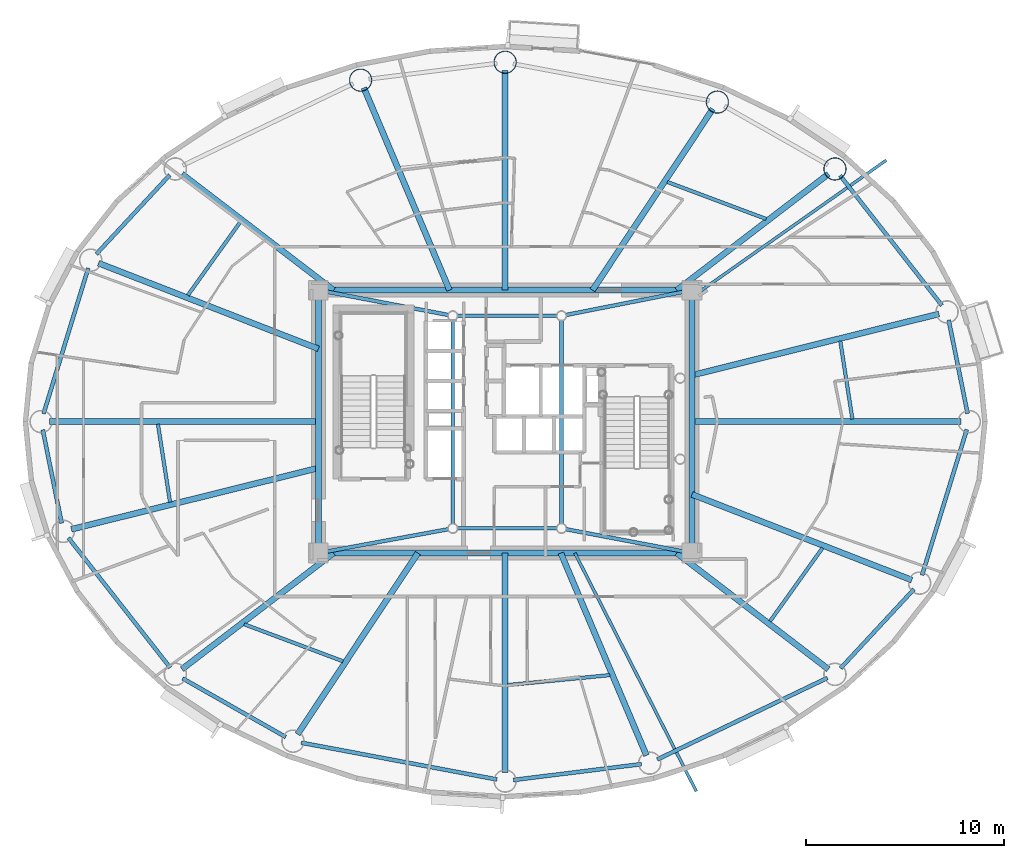
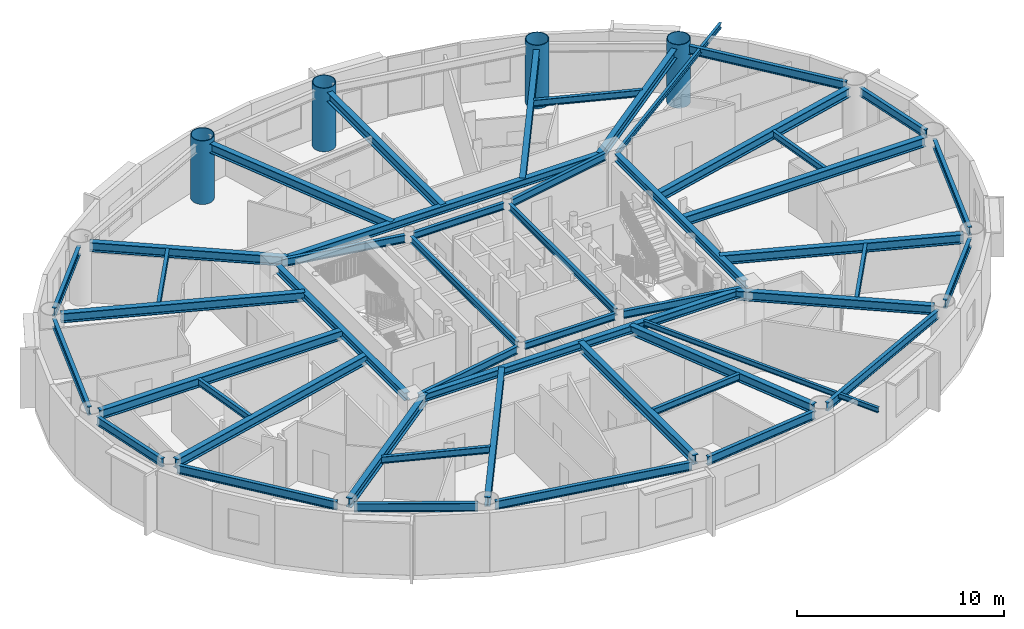
# One storey, part 3 of 20: 49 beams, 4 columns.
"""IFC4 building model written with IfcOpenShell, lengths in metres."""

from ifc_helpers import new_model, si_unit, direction, frame, origin, origin_2d, place, context, subcontext, project, spatial, hollow_circle, i_section, extrude, material, material_profile, profile_set, type_object, element, save


model = new_model("IFC4")

# Units and contexts
model_context = context("Model", 3, precision=1e-05, world=origin(), true_north=direction((0.0, 1.0)))
body_context = subcontext(model_context, "Body", "Model", "MODEL_VIEW")
ifc_project = project(units=[si_unit("LENGTHUNIT", "METRE"), si_unit("AREAUNIT", "SQUARE_METRE"), si_unit("VOLUMEUNIT", "CUBIC_METRE"), si_unit("PLANEANGLEUNIT", "RADIAN"), si_unit("MASSUNIT", "GRAM", prefix="KILO")], contexts=[model_context])

# Site, building, storey
site_placement = place(None, origin())
site = spatial("IfcSite", under=ifc_project, at=site_placement, CompositionType="ELEMENT")
building_placement = place(site_placement, origin())
building = spatial("IfcBuilding", under=site, at=building_placement, Name="Linh Dai School and Residence Tower", CompositionType="ELEMENT")
storey_placement = place(building_placement, frame((0.0, 0.0, 221.550048828125)))
storey = spatial("IfcBuildingStorey", under=building, at=storey_placement, Name="L54", CompositionType="ELEMENT", Elevation=221.550048828125)

# Columns
ifc_material = material(Name="Structural Steel S355JR", Category="steel")
ifc_material_profile_1 = material_profile(ifc_material, hollow_circle(Radius=0.574951171875, WallThickness=0.035888671875, at=origin_2d()), Name="CHS 1150x36")
ifc_profile_set_1 = profile_set([ifc_material_profile_1], Name="Structural Steel S355JR")
column_type = type_object("IfcColumnType", Name="COL-MC5", PredefinedType="COLUMN", material=ifc_profile_set_1)
for number, where, z_axis, x_axis, name in (
    (1, (52.68310546875, 39.781005859375, 0.0), (0.0, 0.0, 1.0), (1.0, 0.0, 0.0), "L54 Perimeter CFT Mega-Column MC03"),
    (2, (46.734619140625, 43.16357421875, 0.0), (0.0, 0.0, 1.0), (1.0, 0.0, 0.0), "L54 Perimeter CFT Mega-Column MC04"),
    (3, (36.0, 45.179931640625, 0.0), (0.0, 0.0, 1.0), (1.0, 0.0, 0.0), "L54 Perimeter CFT Mega-Column MC05"),
    (4, (28.68798828125, 44.2734375, 0.0), (0.0, 0.0, 1.0), (1.0, 0.0, 0.0), "L54 Perimeter CFT Mega-Column MC06"),
):
    element("IfcColumn", number, at=place(storey_placement, frame(where, z_axis=z_axis, x_axis=x_axis)), inside=storey, type_object=column_type, Name=name, PredefinedType="COLUMN", context=body_context, shape_type="SweptSolid", body=[
        extrude(hollow_circle(Radius=0.574951171875, WallThickness=0.035888671875, at=origin_2d()), origin(), (0.0, 0.0, 1.0), 3.75),
    ])

# Beams
ifc_material_profile_2 = material_profile(ifc_material, i_section(OverallWidth=0.14990234375, OverallDepth=0.300048828125, WebThickness=0.007080078125, FlangeThickness=0.0107421875, at=origin_2d()), Name="IPE 300")
ifc_profile_set_2 = profile_set([ifc_material_profile_2], Name="Structural Steel S355JR")
beam_type_1 = type_object("IfcBeamType", Name="BM-BALC-CANT", PredefinedType="BEAM", material=ifc_profile_set_2)
beam_1_placement = place(storey_placement, frame((45.449951171875, 33.301513671875, 3.349853515625), z_axis=(0.817596484683, 0.57579161876, 0.0), x_axis=(-0.57579161876, 0.817596484683, 0.0)))
element("IfcBeam", 5, at=beam_1_placement, inside=storey, type_object=beam_type_1, Name="L55 Balcony Continuous Cantilever Beam 05", PredefinedType="BEAM", context=body_context, shape_type="SweptSolid", body=[
    extrude(i_section(OverallWidth=0.14990234375, OverallDepth=0.300048828125, WebThickness=0.007080078125, FlangeThickness=0.0107421875, at=origin_2d()), origin(), (0.0, 0.0, 1.0), 12.02392578125),
])
beam_2_placement = place(storey_placement, frame((39.527099609375, 20.35009765625, 3.349853515625), z_axis=(0.453966886406, -0.891018555388, 0.0), x_axis=(0.891018555388, 0.453966886406, 0.0)))
element("IfcBeam", 6, at=beam_2_placement, inside=storey, type_object=beam_type_1, Name="L55 Balcony Continuous Cantilever Beam 33", PredefinedType="BEAM", context=body_context, shape_type="SweptSolid", body=[
    extrude(i_section(OverallWidth=0.14990234375, OverallDepth=0.300048828125, WebThickness=0.007080078125, FlangeThickness=0.0107421875, at=origin_2d()), origin(), (0.0, 0.0, 1.0), 13.52392578125),
])
ifc_material_profile_3 = material_profile(ifc_material, i_section(OverallWidth=0.199951171875, OverallDepth=0.5, WebThickness=0.01025390625, FlangeThickness=0.01611328125, FilletRadius=0.02099609375, at=origin_2d()), Name="IPE 500")
ifc_profile_set_3 = profile_set([ifc_material_profile_3], Name="Structural Steel S355JR")
beam_type_2 = type_object("IfcBeamType", Name="BM-RB50", PredefinedType="BEAM", material=ifc_profile_set_3)
beam_3_placement = place(storey_placement, frame((59.3916015625, 27.41162109375, 3.25), z_axis=(-0.198423200906, 0.980116438666, 0.0), x_axis=(-0.980116438666, -0.198423200906, 0.0)))
element("IfcBeam", 7, at=beam_3_placement, inside=storey, type_object=beam_type_2, Name="L54 Perimeter Elliptical Ring Beam 01", PredefinedType="BEAM", context=body_context, shape_type="SweptSolid", body=[
    extrude(i_section(OverallWidth=0.199951171875, OverallDepth=0.5, WebThickness=0.01025390625, FlangeThickness=0.01611328125, FilletRadius=0.02099609375, at=origin_2d()), origin(), (0.0, 0.0, 1.0), 4.822021484375),
])
beam_4_placement = place(storey_placement, frame((58.09228515625, 32.8798828125, 3.25), z_axis=(-0.616900268003, 0.787041332674, 0.0), x_axis=(-0.787041332674, -0.616900268003, 0.0)))
element("IfcBeam", 8, at=beam_4_placement, inside=storey, type_object=beam_type_2, Name="L54 Perimeter Elliptical Ring Beam 02", PredefinedType="BEAM", context=body_context, shape_type="SweptSolid", body=[
    extrude(i_section(OverallWidth=0.199951171875, OverallDepth=0.5, WebThickness=0.01025390625, FlangeThickness=0.01611328125, FilletRadius=0.02099609375, at=origin_2d()), origin(), (0.0, 0.0, 1.0), 8.348388671875),
])
beam_5_placement = place(storey_placement, frame((19.031005859375, 39.47314453125, 3.25), z_axis=(-0.68040816846, -0.732833353699, 0.0), x_axis=(0.732833353699, -0.68040816846, 0.0)))
element("IfcBeam", 9, at=beam_5_placement, inside=storey, type_object=beam_type_2, Name="L54 Perimeter Elliptical Ring Beam 07", PredefinedType="BEAM", context=body_context, shape_type="SweptSolid", body=[
    extrude(i_section(OverallWidth=0.199951171875, OverallDepth=0.5, WebThickness=0.01025390625, FlangeThickness=0.01611328125, FilletRadius=0.02099609375, at=origin_2d()), origin(), (0.0, 0.0, 1.0), 5.453369140625),
])
beam_6_placement = place(storey_placement, frame((14.911376953125, 34.767578125, 3.25), z_axis=(-0.293660595717, -0.95590975229, 0.0), x_axis=(0.95590975229, -0.293660595717, 0.0)))
element("IfcBeam", 10, at=beam_6_placement, inside=storey, type_object=beam_type_2, Name="L54 Perimeter Elliptical Ring Beam 08", PredefinedType="BEAM", context=body_context, shape_type="SweptSolid", body=[
    extrude(i_section(OverallWidth=0.199951171875, OverallDepth=0.5, WebThickness=0.01025390625, FlangeThickness=0.01611328125, FilletRadius=0.02099609375, at=origin_2d()), origin(), (0.0, 0.0, 1.0), 7.7060546875),
])
beam_7_placement = place(storey_placement, frame((12.6083984375, 26.58837890625, 3.25), z_axis=(0.198423200906, -0.980116438666, 0.0), x_axis=(0.980116438666, 0.198423200906, 0.0)))
element("IfcBeam", 11, at=beam_7_placement, inside=storey, type_object=beam_type_2, Name="L54 Perimeter Elliptical Ring Beam 09", PredefinedType="BEAM", context=body_context, shape_type="SweptSolid", body=[
    extrude(i_section(OverallWidth=0.199951171875, OverallDepth=0.5, WebThickness=0.01025390625, FlangeThickness=0.01611328125, FilletRadius=0.02099609375, at=origin_2d()), origin(), (0.0, 0.0, 1.0), 4.822021484375),
])
beam_8_placement = place(storey_placement, frame((13.90771484375, 21.1201171875, 3.25), z_axis=(0.616900268003, -0.787041332674, 0.0), x_axis=(0.787041332674, 0.616900268003, 0.0)))
element("IfcBeam", 12, at=beam_8_placement, inside=storey, type_object=beam_type_2, Name="L54 Perimeter Elliptical Ring Beam 10", PredefinedType="BEAM", context=body_context, shape_type="SweptSolid", body=[
    extrude(i_section(OverallWidth=0.199951171875, OverallDepth=0.5, WebThickness=0.01025390625, FlangeThickness=0.01611328125, FilletRadius=0.02099609375, at=origin_2d()), origin(), (0.0, 0.0, 1.0), 8.348388671875),
])
beam_9_placement = place(storey_placement, frame((19.681884765625, 14.011474609375, 3.25), z_axis=(0.869297314463, -0.494289570058, 0.0), x_axis=(0.494289570058, 0.869297314463, 0.0)))
element("IfcBeam", 13, at=beam_9_placement, inside=storey, type_object=beam_type_2, Name="L54 Perimeter Elliptical Ring Beam 11", PredefinedType="BEAM", context=body_context, shape_type="SweptSolid", body=[
    extrude(i_section(OverallWidth=0.199951171875, OverallDepth=0.5, WebThickness=0.01025390625, FlangeThickness=0.01611328125, FilletRadius=0.02099609375, at=origin_2d()), origin(), (0.0, 0.0, 1.0), 6.003173828125),
])
beam_10_placement = place(storey_placement, frame((25.67822265625, 10.759033203125, 3.25), z_axis=(0.982806607762, -0.184637947722, 0.0), x_axis=(0.184637947722, 0.982806607762, 0.0)))
element("IfcBeam", 14, at=beam_10_placement, inside=storey, type_object=beam_type_2, Name="L54 Perimeter Elliptical Ring Beam 12", PredefinedType="BEAM", context=body_context, shape_type="SweptSolid", body=[
    extrude(i_section(OverallWidth=0.199951171875, OverallDepth=0.5, WebThickness=0.01025390625, FlangeThickness=0.01611328125, FilletRadius=0.02099609375, at=origin_2d()), origin(), (0.0, 0.0, 1.0), 10.082275390625),
])
beam_11_placement = place(storey_placement, frame((36.416748046875, 8.87158203125, 3.25), z_axis=(0.992401656104, 0.123040452539, 0.0), x_axis=(-0.123040452539, 0.992401656104, 0.0)))
element("IfcBeam", 15, at=beam_11_placement, inside=storey, type_object=beam_type_2, Name="L54 Perimeter Elliptical Ring Beam 13", PredefinedType="BEAM", context=body_context, shape_type="SweptSolid", body=[
    extrude(i_section(OverallWidth=0.199951171875, OverallDepth=0.5, WebThickness=0.01025390625, FlangeThickness=0.01611328125, FilletRadius=0.02099609375, at=origin_2d()), origin(), (0.0, 0.0, 1.0), 6.528076171875),
])
beam_12_placement = place(storey_placement, frame((43.690673828125, 9.907958984375, 3.25), z_axis=(0.901735920201, 0.432287323686, 0.0), x_axis=(-0.432287323686, 0.901735920201, 0.0)))
element("IfcBeam", 16, at=beam_12_placement, inside=storey, type_object=beam_type_2, Name="L54 Perimeter Elliptical Ring Beam 14", PredefinedType="BEAM", context=body_context, shape_type="SweptSolid", body=[
    extrude(i_section(OverallWidth=0.199951171875, OverallDepth=0.5, WebThickness=0.01025390625, FlangeThickness=0.01611328125, FilletRadius=0.02099609375, at=origin_2d()), origin(), (0.0, 0.0, 1.0), 9.552490234375),
])
beam_13_placement = place(storey_placement, frame((52.968994140625, 14.52685546875, 3.25), z_axis=(0.68040816846, 0.732833353699, 0.0), x_axis=(-0.732833353699, 0.68040816846, 0.0)))
element("IfcBeam", 17, at=beam_13_placement, inside=storey, type_object=beam_type_2, Name="L54 Perimeter Elliptical Ring Beam 15", PredefinedType="BEAM", context=body_context, shape_type="SweptSolid", body=[
    extrude(i_section(OverallWidth=0.199951171875, OverallDepth=0.5, WebThickness=0.01025390625, FlangeThickness=0.01611328125, FilletRadius=0.02099609375, at=origin_2d()), origin(), (0.0, 0.0, 1.0), 5.453369140625),
])
beam_14_placement = place(storey_placement, frame((57.088623046875, 19.232421875, 3.25), z_axis=(0.293660595717, 0.95590975229, 0.0), x_axis=(-0.95590975229, 0.293660595717, 0.0)))
element("IfcBeam", 18, at=beam_14_placement, inside=storey, type_object=beam_type_2, Name="L54 Perimeter Elliptical Ring Beam 16", PredefinedType="BEAM", context=body_context, shape_type="SweptSolid", body=[
    extrude(i_section(OverallWidth=0.199951171875, OverallDepth=0.5, WebThickness=0.01025390625, FlangeThickness=0.01611328125, FilletRadius=0.02099609375, at=origin_2d()), origin(), (0.0, 0.0, 1.0), 7.7060546875),
])
ifc_material_profile_4 = material_profile(ifc_material, i_section(OverallWidth=0.300048828125, OverallDepth=0.449951171875, WebThickness=0.013916015625, FlangeThickness=0.02587890625, FilletRadius=0.027099609375, at=origin_2d()), Name="HEB 450")
ifc_profile_set_4 = profile_set([ifc_material_profile_4], Name="Structural Steel S355JR")
beam_type_3 = type_object("IfcBeamType", Name="BM-RG45", PredefinedType="BEAM", material=ifc_profile_set_4)
beam_15_placement = place(storey_placement, frame((26.969970703125, 20.35009765625, 3.27490234375), z_axis=(1.0, 0.0, 0.0), x_axis=(0.0, 1.0, 0.0)))
element("IfcBeam", 19, at=beam_15_placement, inside=storey, type_object=beam_type_3, Name="L54 Core Perimeter Coupling Girder 1", PredefinedType="BEAM", context=body_context, shape_type="SweptSolid", body=[
    extrude(i_section(OverallWidth=0.300048828125, OverallDepth=0.449951171875, WebThickness=0.013916015625, FlangeThickness=0.02587890625, FilletRadius=0.027099609375, at=origin_2d()), origin(), (0.0, 0.0, 1.0), 18.06005859375),
])
beam_16_placement = place(storey_placement, frame((45.449951171875, 20.77001953125, 3.27490234375), z_axis=(0.0, 1.0, 0.0), x_axis=(-1.0, 0.0, 0.0)))
element("IfcBeam", 20, at=beam_16_placement, inside=storey, type_object=beam_type_3, Name="L54 Core Perimeter Coupling Girder 2", PredefinedType="BEAM", context=body_context, shape_type="SweptSolid", body=[
    extrude(i_section(OverallWidth=0.300048828125, OverallDepth=0.449951171875, WebThickness=0.013916015625, FlangeThickness=0.02587890625, FilletRadius=0.027099609375, at=origin_2d()), origin(), (0.0, 0.0, 1.0), 12.4599609375),
])
beam_17_placement = place(storey_placement, frame((45.030029296875, 33.64990234375, 3.27490234375), z_axis=(-1.0, 0.0, 0.0), x_axis=(0.0, -1.0, 0.0)))
element("IfcBeam", 21, at=beam_17_placement, inside=storey, type_object=beam_type_3, Name="L54 Core Perimeter Coupling Girder 3", PredefinedType="BEAM", context=body_context, shape_type="SweptSolid", body=[
    extrude(i_section(OverallWidth=0.300048828125, OverallDepth=0.449951171875, WebThickness=0.013916015625, FlangeThickness=0.02587890625, FilletRadius=0.027099609375, at=origin_2d()), origin(), (0.0, 0.0, 1.0), 18.06005859375),
])
beam_18_placement = place(storey_placement, frame((26.550048828125, 33.22998046875, 3.27490234375), z_axis=(0.0, -1.0, 0.0), x_axis=(1.0, 0.0, 0.0)))
element("IfcBeam", 22, at=beam_18_placement, inside=storey, type_object=beam_type_3, Name="L54 Core Perimeter Coupling Girder 4", PredefinedType="BEAM", context=body_context, shape_type="SweptSolid", body=[
    extrude(i_section(OverallWidth=0.300048828125, OverallDepth=0.449951171875, WebThickness=0.013916015625, FlangeThickness=0.02587890625, FilletRadius=0.027099609375, at=origin_2d()), origin(), (0.0, 0.0, 1.0), 12.4599609375),
])
ifc_material_profile_5 = material_profile(ifc_material, i_section(OverallWidth=0.300048828125, OverallDepth=0.550048828125, WebThickness=0.014892578125, FlangeThickness=0.029052734375, FilletRadius=0.027099609375, at=origin_2d()), Name="HEB 550")
ifc_profile_set_5 = profile_set([ifc_material_profile_5], Name="Structural Steel S355JR")
beam_type_4 = type_object("IfcBeamType", Name="BM-RG55", PredefinedType="BEAM", material=ifc_profile_set_5)
beam_19_placement = place(storey_placement, frame((45.449951171875, 27.0, 3.224853515625), z_axis=(1.0, 0.0, 0.0), x_axis=(0.0, 1.0, 0.0)))
element("IfcBeam", 23, at=beam_19_placement, inside=storey, type_object=beam_type_4, Name="L54 Primary Radial Floor Girder 01", PredefinedType="BEAM", context=body_context, shape_type="SweptSolid", body=[
    extrude(i_section(OverallWidth=0.300048828125, OverallDepth=0.550048828125, WebThickness=0.014892578125, FlangeThickness=0.029052734375, FilletRadius=0.027099609375, at=origin_2d()), origin(), (0.0, 0.0, 1.0), 13.60498046875),
])
beam_20_placement = place(storey_placement, frame((45.449951171875, 29.34619140625, 3.224853515625), z_axis=(0.970537241974, 0.240951160904, 0.0), x_axis=(-0.240951160904, 0.970537241974, 0.0)))
element("IfcBeam", 24, at=beam_20_placement, inside=storey, type_object=beam_type_4, Name="L54 Primary Radial Floor Girder 02", PredefinedType="BEAM", context=body_context, shape_type="SweptSolid", body=[
    extrude(i_section(OverallWidth=0.300048828125, OverallDepth=0.550048828125, WebThickness=0.014892578125, FlangeThickness=0.029052734375, FilletRadius=0.027099609375, at=origin_2d()), origin(), (0.0, 0.0, 1.0), 12.873291015625),
])
beam_21_placement = place(storey_placement, frame((44.680419921875, 33.64990234375, 3.224853515625), z_axis=(0.793814553483, 0.608159892363, 0.0), x_axis=(-0.608159892363, 0.793814553483, 0.0)))
element("IfcBeam", 25, at=beam_21_placement, inside=storey, type_object=beam_type_4, Name="L54 Primary Radial Floor Girder 03", PredefinedType="BEAM", context=body_context, shape_type="SweptSolid", body=[
    extrude(i_section(OverallWidth=0.300048828125, OverallDepth=0.550048828125, WebThickness=0.014892578125, FlangeThickness=0.029052734375, FilletRadius=0.027099609375, at=origin_2d()), origin(), (0.0, 0.0, 1.0), 9.661376953125),
])
beam_22_placement = place(storey_placement, frame((40.41650390625, 33.64990234375, 3.224853515625), z_axis=(0.553219177991, 0.833035738191, 0.0), x_axis=(-0.833035738191, 0.553219177991, 0.0)))
element("IfcBeam", 26, at=beam_22_placement, inside=storey, type_object=beam_type_4, Name="L54 Primary Radial Floor Girder 04", PredefinedType="BEAM", context=body_context, shape_type="SweptSolid", body=[
    extrude(i_section(OverallWidth=0.300048828125, OverallDepth=0.550048828125, WebThickness=0.014892578125, FlangeThickness=0.029052734375, FilletRadius=0.027099609375, at=origin_2d()), origin(), (0.0, 0.0, 1.0), 11.00048828125),
])
beam_23_placement = place(storey_placement, frame((36.0, 33.64990234375, 3.224853515625), z_axis=(0.0, 1.0, 0.0), x_axis=(-1.0, 0.0, 0.0)))
element("IfcBeam", 27, at=beam_23_placement, inside=storey, type_object=beam_type_4, Name="L54 Primary Radial Floor Girder 05", PredefinedType="BEAM", context=body_context, shape_type="SweptSolid", body=[
    extrude(i_section(OverallWidth=0.300048828125, OverallDepth=0.550048828125, WebThickness=0.014892578125, FlangeThickness=0.029052734375, FilletRadius=0.027099609375, at=origin_2d()), origin(), (0.0, 0.0, 1.0), 11.110107421875),
])
beam_24_placement = place(storey_placement, frame((33.18505859375, 33.64990234375, 3.224853515625), z_axis=(-0.389814803082, 0.920893272479, 0.0), x_axis=(-0.920893272479, -0.389814803082, 0.0)))
element("IfcBeam", 28, at=beam_24_placement, inside=storey, type_object=beam_type_4, Name="L54 Primary Radial Floor Girder 06", PredefinedType="BEAM", context=body_context, shape_type="SweptSolid", body=[
    extrude(i_section(OverallWidth=0.300048828125, OverallDepth=0.550048828125, WebThickness=0.014892578125, FlangeThickness=0.029052734375, FilletRadius=0.027099609375, at=origin_2d()), origin(), (0.0, 0.0, 1.0), 11.1162109375),
])
beam_25_placement = place(storey_placement, frame((27.319580078125, 33.64990234375, 3.224853515625), z_axis=(-0.793814553483, 0.608159892363, 0.0), x_axis=(-0.608159892363, -0.793814553483, 0.0)))
element("IfcBeam", 29, at=beam_25_placement, inside=storey, type_object=beam_type_4, Name="L54 Primary Radial Floor Girder 07", PredefinedType="BEAM", context=body_context, shape_type="SweptSolid", body=[
    extrude(i_section(OverallWidth=0.300048828125, OverallDepth=0.550048828125, WebThickness=0.014892578125, FlangeThickness=0.029052734375, FilletRadius=0.027099609375, at=origin_2d()), origin(), (0.0, 0.0, 1.0), 9.661376953125),
])
beam_26_placement = place(storey_placement, frame((26.550048828125, 30.68212890625, 3.224853515625), z_axis=(-0.931764994123, 0.363061972295, 0.0), x_axis=(-0.363061972295, -0.931764994123, 0.0)))
element("IfcBeam", 30, at=beam_26_placement, inside=storey, type_object=beam_type_4, Name="L54 Primary Radial Floor Girder 08", PredefinedType="BEAM", context=body_context, shape_type="SweptSolid", body=[
    extrude(i_section(OverallWidth=0.300048828125, OverallDepth=0.550048828125, WebThickness=0.014892578125, FlangeThickness=0.029052734375, FilletRadius=0.027099609375, at=origin_2d()), origin(), (0.0, 0.0, 1.0), 11.938720703125),
])
beam_27_placement = place(storey_placement, frame((26.550048828125, 27.0, 3.224853515625), z_axis=(-1.0, 0.0, 0.0), x_axis=(0.0, -1.0, 0.0)))
element("IfcBeam", 31, at=beam_27_placement, inside=storey, type_object=beam_type_4, Name="L54 Primary Radial Floor Girder 09", PredefinedType="BEAM", context=body_context, shape_type="SweptSolid", body=[
    extrude(i_section(OverallWidth=0.300048828125, OverallDepth=0.550048828125, WebThickness=0.014892578125, FlangeThickness=0.029052734375, FilletRadius=0.027099609375, at=origin_2d()), origin(), (0.0, 0.0, 1.0), 13.60498046875),
])
beam_28_placement = place(storey_placement, frame((26.550048828125, 24.65380859375, 3.224853515625), z_axis=(-0.970537241974, -0.240951160904, 0.0), x_axis=(0.240951160904, -0.970537241974, 0.0)))
element("IfcBeam", 32, at=beam_28_placement, inside=storey, type_object=beam_type_4, Name="L54 Primary Radial Floor Girder 10", PredefinedType="BEAM", context=body_context, shape_type="SweptSolid", body=[
    extrude(i_section(OverallWidth=0.300048828125, OverallDepth=0.550048828125, WebThickness=0.014892578125, FlangeThickness=0.029052734375, FilletRadius=0.027099609375, at=origin_2d()), origin(), (0.0, 0.0, 1.0), 12.873291015625),
])
beam_29_placement = place(storey_placement, frame((27.319580078125, 20.35009765625, 3.224853515625), z_axis=(-0.793814553483, -0.608159892363, 0.0), x_axis=(0.608159892363, -0.793814553483, 0.0)))
element("IfcBeam", 33, at=beam_29_placement, inside=storey, type_object=beam_type_4, Name="L54 Primary Radial Floor Girder 11", PredefinedType="BEAM", context=body_context, shape_type="SweptSolid", body=[
    extrude(i_section(OverallWidth=0.300048828125, OverallDepth=0.550048828125, WebThickness=0.014892578125, FlangeThickness=0.029052734375, FilletRadius=0.027099609375, at=origin_2d()), origin(), (0.0, 0.0, 1.0), 9.661376953125),
])
beam_30_placement = place(storey_placement, frame((31.58349609375, 20.35009765625, 3.224853515625), z_axis=(-0.553219177991, -0.833035738191, 0.0), x_axis=(0.833035738191, -0.553219177991, 0.0)))
element("IfcBeam", 34, at=beam_30_placement, inside=storey, type_object=beam_type_4, Name="L54 Primary Radial Floor Girder 12", PredefinedType="BEAM", context=body_context, shape_type="SweptSolid", body=[
    extrude(i_section(OverallWidth=0.300048828125, OverallDepth=0.550048828125, WebThickness=0.014892578125, FlangeThickness=0.029052734375, FilletRadius=0.027099609375, at=origin_2d()), origin(), (0.0, 0.0, 1.0), 11.00048828125),
])
beam_31_placement = place(storey_placement, frame((36.0, 20.35009765625, 3.224853515625), z_axis=(0.0, -1.0, 0.0), x_axis=(1.0, 0.0, 0.0)))
element("IfcBeam", 35, at=beam_31_placement, inside=storey, type_object=beam_type_4, Name="L54 Primary Radial Floor Girder 13", PredefinedType="BEAM", context=body_context, shape_type="SweptSolid", body=[
    extrude(i_section(OverallWidth=0.300048828125, OverallDepth=0.550048828125, WebThickness=0.014892578125, FlangeThickness=0.029052734375, FilletRadius=0.027099609375, at=origin_2d()), origin(), (0.0, 0.0, 1.0), 11.110107421875),
])
beam_32_placement = place(storey_placement, frame((38.81494140625, 20.35009765625, 3.224853515625), z_axis=(0.389814803082, -0.920893272479, 0.0), x_axis=(0.920893272479, 0.389814803082, 0.0)))
element("IfcBeam", 36, at=beam_32_placement, inside=storey, type_object=beam_type_4, Name="L54 Primary Radial Floor Girder 14", PredefinedType="BEAM", context=body_context, shape_type="SweptSolid", body=[
    extrude(i_section(OverallWidth=0.300048828125, OverallDepth=0.550048828125, WebThickness=0.014892578125, FlangeThickness=0.029052734375, FilletRadius=0.027099609375, at=origin_2d()), origin(), (0.0, 0.0, 1.0), 11.1162109375),
])
beam_33_placement = place(storey_placement, frame((44.680419921875, 20.35009765625, 3.224853515625), z_axis=(0.793814553483, -0.608159892363, 0.0), x_axis=(0.608159892363, 0.793814553483, 0.0)))
element("IfcBeam", 37, at=beam_33_placement, inside=storey, type_object=beam_type_4, Name="L54 Primary Radial Floor Girder 15", PredefinedType="BEAM", context=body_context, shape_type="SweptSolid", body=[
    extrude(i_section(OverallWidth=0.300048828125, OverallDepth=0.550048828125, WebThickness=0.014892578125, FlangeThickness=0.029052734375, FilletRadius=0.027099609375, at=origin_2d()), origin(), (0.0, 0.0, 1.0), 9.661376953125),
])
beam_34_placement = place(storey_placement, frame((45.449951171875, 23.31787109375, 3.224853515625), z_axis=(0.931764994123, -0.363061972295, 0.0), x_axis=(0.363061972295, 0.931764994123, 0.0)))
element("IfcBeam", 38, at=beam_34_placement, inside=storey, type_object=beam_type_4, Name="L54 Primary Radial Floor Girder 16", PredefinedType="BEAM", context=body_context, shape_type="SweptSolid", body=[
    extrude(i_section(OverallWidth=0.300048828125, OverallDepth=0.550048828125, WebThickness=0.014892578125, FlangeThickness=0.029052734375, FilletRadius=0.027099609375, at=origin_2d()), origin(), (0.0, 0.0, 1.0), 11.938720703125),
])
ifc_material_profile_6 = material_profile(ifc_material, i_section(OverallWidth=0.179931640625, OverallDepth=0.39990234375, WebThickness=0.008544921875, FlangeThickness=0.013427734375, FilletRadius=0.02099609375, at=origin_2d()), Name="IPE 400")
ifc_profile_set_6 = profile_set([ifc_material_profile_6], Name="Structural Steel S355JR")
beam_type_5 = type_object("IfcBeamType", Name="BM-SB40", PredefinedType="BEAM", material=ifc_profile_set_6)
beam_35_placement = place(storey_placement, frame((33.573974609375, 21.60009765625, 3.300048828125), z_axis=(1.0, 0.0, 0.0), x_axis=(0.0, 1.0, 0.0)))
element("IfcBeam", 39, at=beam_35_placement, inside=storey, type_object=beam_type_5, Name="L54 Core Mast Pier Tie Beam 1", PredefinedType="BEAM", context=body_context, shape_type="SweptSolid", body=[
    extrude(i_section(OverallWidth=0.179931640625, OverallDepth=0.39990234375, WebThickness=0.008544921875, FlangeThickness=0.013427734375, FilletRadius=0.02099609375, at=origin_2d()), origin(), (0.0, 0.0, 1.0), 5.052001953125),
])
beam_36_placement = place(storey_placement, frame((38.85009765625, 21.823974609375, 3.300048828125), z_axis=(0.0, 1.0, 0.0), x_axis=(-1.0, 0.0, 0.0)))
element("IfcBeam", 40, at=beam_36_placement, inside=storey, type_object=beam_type_5, Name="L54 Core Mast Pier Tie Beam 2", PredefinedType="BEAM", context=body_context, shape_type="SweptSolid", body=[
    extrude(i_section(OverallWidth=0.179931640625, OverallDepth=0.39990234375, WebThickness=0.008544921875, FlangeThickness=0.013427734375, FilletRadius=0.02099609375, at=origin_2d()), origin(), (0.0, 0.0, 1.0), 10.302001953125),
])
beam_37_placement = place(storey_placement, frame((38.6259765625, 32.35009765625, 3.300048828125), z_axis=(-1.0, 0.0, 0.0), x_axis=(0.0, -1.0, 0.0)))
element("IfcBeam", 41, at=beam_37_placement, inside=storey, type_object=beam_type_5, Name="L54 Core Mast Pier Tie Beam 3", PredefinedType="BEAM", context=body_context, shape_type="SweptSolid", body=[
    extrude(i_section(OverallWidth=0.179931640625, OverallDepth=0.39990234375, WebThickness=0.008544921875, FlangeThickness=0.013427734375, FilletRadius=0.02099609375, at=origin_2d()), origin(), (0.0, 0.0, 1.0), 5.052001953125),
])
beam_38_placement = place(storey_placement, frame((33.35009765625, 32.1259765625, 3.300048828125), z_axis=(0.0, -1.0, 0.0), x_axis=(1.0, 0.0, 0.0)))
element("IfcBeam", 42, at=beam_38_placement, inside=storey, type_object=beam_type_5, Name="L54 Core Mast Pier Tie Beam 4", PredefinedType="BEAM", context=body_context, shape_type="SweptSolid", body=[
    extrude(i_section(OverallWidth=0.179931640625, OverallDepth=0.39990234375, WebThickness=0.008544921875, FlangeThickness=0.013427734375, FilletRadius=0.02099609375, at=origin_2d()), origin(), (0.0, 0.0, 1.0), 10.302001953125),
])
beam_39_placement = place(storey_placement, frame((53.564697265625, 27.12841796875, 3.300048828125), z_axis=(-0.153237508203, 0.988189387759, 0.0), x_axis=(-0.988189387759, -0.153237508203, 0.0)))
element("IfcBeam", 43, at=beam_39_placement, inside=storey, type_object=beam_type_5, Name="L54 Secondary Circumferential Floor Beam 01", PredefinedType="BEAM", context=body_context, shape_type="SweptSolid", body=[
    extrude(i_section(OverallWidth=0.179931640625, OverallDepth=0.39990234375, WebThickness=0.008544921875, FlangeThickness=0.013427734375, FilletRadius=0.02099609375, at=origin_2d()), origin(), (0.0, 0.0, 1.0), 3.994140625),
])
beam_40_placement = place(storey_placement, frame((49.2001953125, 37.25146484375, 3.300048828125), z_axis=(-0.936528326754, 0.350591918315, 0.0), x_axis=(-0.350591918315, -0.936528326754, 0.0)))
element("IfcBeam", 44, at=beam_40_placement, inside=storey, type_object=beam_type_5, Name="L54 Secondary Circumferential Floor Beam 02", PredefinedType="BEAM", context=body_context, shape_type="SweptSolid", body=[
    extrude(i_section(OverallWidth=0.179931640625, OverallDepth=0.39990234375, WebThickness=0.008544921875, FlangeThickness=0.013427734375, FilletRadius=0.02099609375, at=origin_2d()), origin(), (0.0, 0.0, 1.0), 5.336181640625),
])
beam_41_placement = place(storey_placement, frame((22.602294921875, 37.100341796875, 3.300048828125), z_axis=(-0.582017423054, -0.813176314991, 0.0), x_axis=(0.813176314991, -0.582017423054, 0.0)))
element("IfcBeam", 45, at=beam_41_placement, inside=storey, type_object=beam_type_5, Name="L54 Secondary Circumferential Floor Beam 04", PredefinedType="BEAM", context=body_context, shape_type="SweptSolid", body=[
    extrude(i_section(OverallWidth=0.179931640625, OverallDepth=0.39990234375, WebThickness=0.008544921875, FlangeThickness=0.013427734375, FilletRadius=0.02099609375, at=origin_2d()), origin(), (0.0, 0.0, 1.0), 4.5625),
])
beam_42_placement = place(storey_placement, frame((18.435302734375, 26.87158203125, 3.300048828125), z_axis=(0.153237508203, -0.988189387759, 0.0), x_axis=(0.988189387759, 0.153237508203, 0.0)))
element("IfcBeam", 46, at=beam_42_placement, inside=storey, type_object=beam_type_5, Name="L54 Secondary Circumferential Floor Beam 05", PredefinedType="BEAM", context=body_context, shape_type="SweptSolid", body=[
    extrude(i_section(OverallWidth=0.179931640625, OverallDepth=0.39990234375, WebThickness=0.008544921875, FlangeThickness=0.013427734375, FilletRadius=0.02099609375, at=origin_2d()), origin(), (0.0, 0.0, 1.0), 3.994140625),
])
beam_43_placement = place(storey_placement, frame((22.7998046875, 16.74853515625, 3.300048828125), z_axis=(0.936528326754, -0.350591918315, 0.0), x_axis=(0.350591918315, 0.936528326754, 0.0)))
element("IfcBeam", 47, at=beam_43_placement, inside=storey, type_object=beam_type_5, Name="L54 Secondary Circumferential Floor Beam 06", PredefinedType="BEAM", context=body_context, shape_type="SweptSolid", body=[
    extrude(i_section(OverallWidth=0.179931640625, OverallDepth=0.39990234375, WebThickness=0.008544921875, FlangeThickness=0.013427734375, FilletRadius=0.02099609375, at=origin_2d()), origin(), (0.0, 0.0, 1.0), 5.336181640625),
])
beam_44_placement = place(storey_placement, frame((36.12939453125, 13.675048828125, 3.300048828125), z_axis=(0.995332680487, 0.096503135467, 0.0), x_axis=(-0.096503135467, 0.995332680487, 0.0)))
element("IfcBeam", 48, at=beam_44_placement, inside=storey, type_object=beam_type_5, Name="L54 Secondary Circumferential Floor Beam 07", PredefinedType="BEAM", context=body_context, shape_type="SweptSolid", body=[
    extrude(i_section(OverallWidth=0.179931640625, OverallDepth=0.39990234375, WebThickness=0.008544921875, FlangeThickness=0.013427734375, FilletRadius=0.02099609375, at=origin_2d()), origin(), (0.0, 0.0, 1.0), 5.188720703125),
])
beam_45_placement = place(storey_placement, frame((49.397705078125, 16.899658203125, 3.300048828125), z_axis=(0.582017423054, 0.813176314991, 0.0), x_axis=(-0.813176314991, 0.582017423054, 0.0)))
element("IfcBeam", 49, at=beam_45_placement, inside=storey, type_object=beam_type_5, Name="L54 Secondary Circumferential Floor Beam 08", PredefinedType="BEAM", context=body_context, shape_type="SweptSolid", body=[
    extrude(i_section(OverallWidth=0.179931640625, OverallDepth=0.39990234375, WebThickness=0.008544921875, FlangeThickness=0.013427734375, FilletRadius=0.02099609375, at=origin_2d()), origin(), (0.0, 0.0, 1.0), 4.5625),
])
ifc_material_profile_7 = material_profile(ifc_material, i_section(OverallWidth=0.18994140625, OverallDepth=0.449951171875, WebThickness=0.009521484375, FlangeThickness=0.0146484375, FilletRadius=0.02099609375, at=origin_2d()), Name="IPE 450")
ifc_profile_set_7 = profile_set([ifc_material_profile_7], Name="Structural Steel S355JR")
beam_type_6 = type_object("IfcBeamType", Name="BM-SB45", PredefinedType="BEAM", material=ifc_profile_set_7)
beam_46_placement = place(storey_placement, frame((26.963134765625, 20.426025390625, 3.27490234375), z_axis=(0.983521034508, 0.180793735182, 0.0), x_axis=(-0.180793735182, 0.983521034508, 0.0)))
element("IfcBeam", 50, at=beam_46_placement, inside=storey, type_object=beam_type_6, Name="L54 Core Corner-to-Mast Pier Beam 1", PredefinedType="BEAM", context=body_context, shape_type="SweptSolid", body=[
    extrude(i_section(OverallWidth=0.18994140625, OverallDepth=0.449951171875, WebThickness=0.009521484375, FlangeThickness=0.0146484375, FilletRadius=0.02099609375, at=origin_2d()), origin(), (0.0, 0.0, 1.0), 6.269775390625),
])
beam_47_placement = place(storey_placement, frame((45.037353515625, 20.42822265625, 3.27490234375), z_axis=(-0.982534706692, 0.186079418921, 0.0), x_axis=(-0.186079418921, -0.982534706692, 0.0)))
element("IfcBeam", 51, at=beam_47_placement, inside=storey, type_object=beam_type_6, Name="L54 Core Corner-to-Mast Pier Beam 2", PredefinedType="BEAM", context=body_context, shape_type="SweptSolid", body=[
    extrude(i_section(OverallWidth=0.18994140625, OverallDepth=0.449951171875, WebThickness=0.009521484375, FlangeThickness=0.0146484375, FilletRadius=0.02099609375, at=origin_2d()), origin(), (0.0, 0.0, 1.0), 6.0732421875),
])
beam_48_placement = place(storey_placement, frame((45.037841796875, 33.56884765625, 3.27490234375), z_axis=(-0.981147696489, -0.193259405138, 0.0), x_axis=(0.193259405138, -0.981147696489, 0.0)))
element("IfcBeam", 52, at=beam_48_placement, inside=storey, type_object=beam_type_6, Name="L54 Core Corner-to-Mast Pier Beam 3", PredefinedType="BEAM", context=body_context, shape_type="SweptSolid", body=[
    extrude(i_section(OverallWidth=0.18994140625, OverallDepth=0.449951171875, WebThickness=0.009521484375, FlangeThickness=0.0146484375, FilletRadius=0.02099609375, at=origin_2d()), origin(), (0.0, 0.0, 1.0), 6.082763671875),
])
beam_49_placement = place(storey_placement, frame((26.962646484375, 33.571044921875, 3.27490234375), z_axis=(0.982214129725, -0.187764222812, 0.0), x_axis=(0.187764222812, 0.982214129725, 0.0)))
element("IfcBeam", 53, at=beam_49_placement, inside=storey, type_object=beam_type_6, Name="L54 Core Corner-to-Mast Pier Beam 4", PredefinedType="BEAM", context=body_context, shape_type="SweptSolid", body=[
    extrude(i_section(OverallWidth=0.18994140625, OverallDepth=0.449951171875, WebThickness=0.009521484375, FlangeThickness=0.0146484375, FilletRadius=0.02099609375, at=origin_2d()), origin(), (0.0, 0.0, 1.0), 6.27880859375),
])

save(model, "model.ifc")
